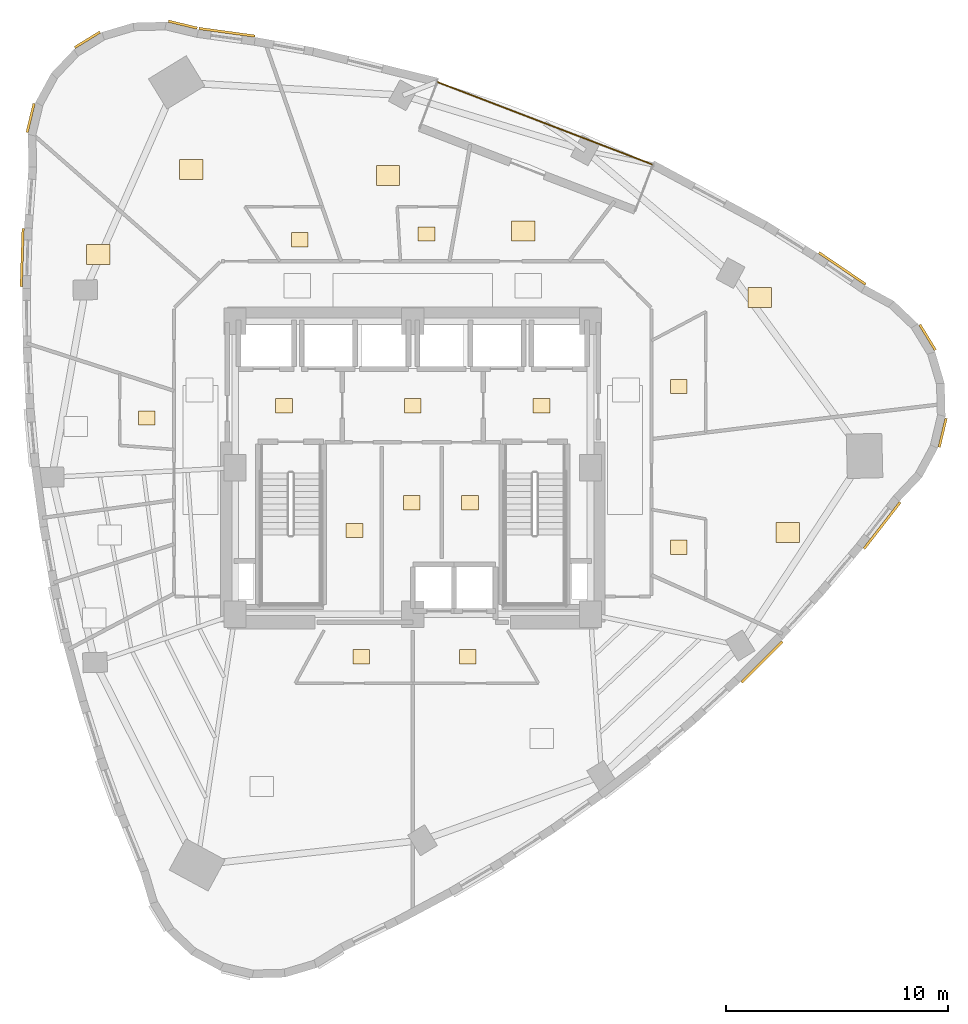
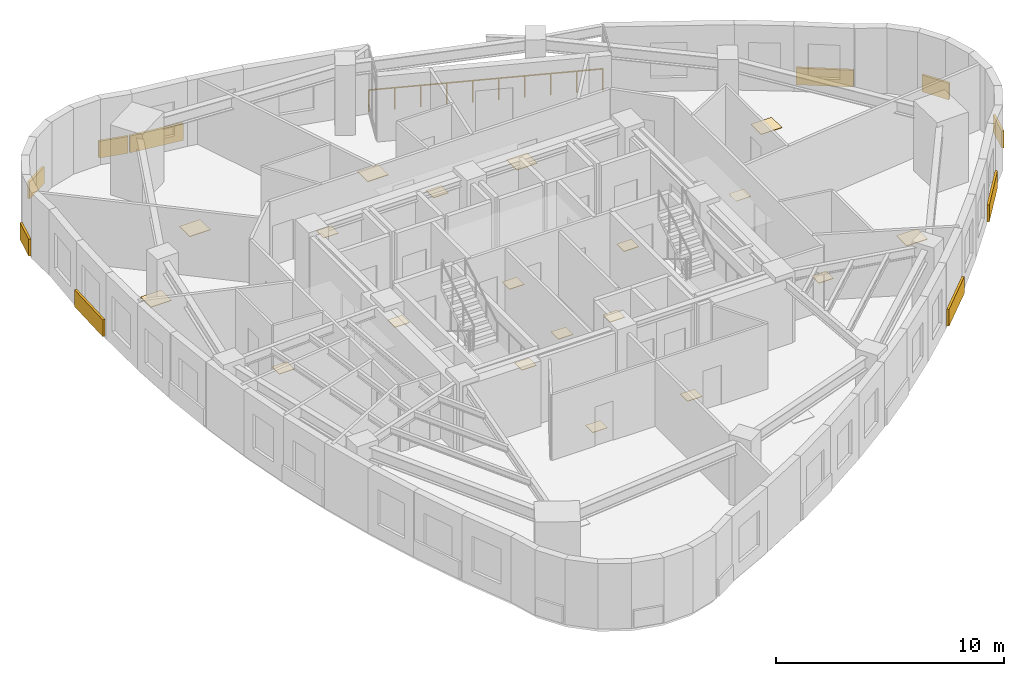
# One storey, part 12 of 12: 29 coverings, 1 railing.
"""IFC4 building model written with IfcOpenShell, lengths in metres."""

from ifc_helpers import new_model, si_unit, direction, frame, origin, origin_2d, place, context, subcontext, project, spatial, rectangle, circle, extrude, material, layer, layer_set, type_object, element, save


model = new_model("IFC4")

# Units and contexts
model_context = context("Model", 3, precision=1e-05, world=origin(), true_north=direction((0.0, 1.0)))
body_context = subcontext(model_context, "Body", "Model", "MODEL_VIEW")
ifc_project = project(units=[si_unit("LENGTHUNIT", "METRE"), si_unit("AREAUNIT", "SQUARE_METRE"), si_unit("VOLUMEUNIT", "CUBIC_METRE"), si_unit("PLANEANGLEUNIT", "RADIAN"), si_unit("MASSUNIT", "GRAM", prefix="KILO")], contexts=[model_context])

# Site, building, storey
site_placement = place(None, origin())
site = spatial("IfcSite", under=ifc_project, at=site_placement, CompositionType="ELEMENT")
building_placement = place(site_placement, origin())
building = spatial("IfcBuilding", under=site, at=building_placement, Name="Ndelora Gate Hotel", CompositionType="ELEMENT")
storey_placement = place(building_placement, frame((0.0, 0.0, 161.0)))
storey = spatial("IfcBuildingStorey", under=building, at=storey_placement, Name="L40", CompositionType="ELEMENT", Elevation=161.0)

# Coverings
ifc_material_1 = material(Name="Terracotta Fired Clay Brick Slip Cladding", Category="masonry")
ifc_layer_1 = layer(ifc_material_1, 0.110107421875)
ifc_layer_set_1 = layer_set([ifc_layer_1], Name="Terracotta Fired Clay Brick Slip Cladding")
covering_type_1 = type_object("IfcCoveringType", Name="COV-CLAD-BRK", PredefinedType="CLADDING", material=ifc_layer_set_1)
for number, where, z_axis, x_axis, name in (
    (1, (-10.35302734375, 19.953369140625, 0.10009765625), (0.0, 0.0, 1.0), (-0.972369920398, 0.233445363856, 0.0), "L40 Rounded-Corner Brick Cladding Band 1"),
    (2, (-14.651611328125, 19.272705078125, 0.10009765625), (0.0, 0.0, 1.0), (0.852640164354, 0.522498564716, 0.0), "L40 Rounded-Corner Brick Cladding Band 4"),
    (3, (-17.209716796875, 15.751708984375, 0.10009765625), (0.0, 0.0, 1.0), (0.233445363856, 0.972369920398, 0.0), "L40 Rounded-Corner Brick Cladding Band 7"),
):
    element("IfcCovering", number, at=place(storey_placement, frame(where, z_axis=z_axis, x_axis=x_axis)), inside=storey, type_object=covering_type_1, Name=name, PredefinedType="CLADDING", context=body_context, shape_type="SweptSolid", body=[
        extrude(rectangle(XDim=1.3359375, YDim=0.110107421875, at=origin_2d()), origin(), (0.0, 0.0, 1.0), 0.89990234375),
    ])
covering_1_placement = place(storey_placement, frame((-17.58935546875, 9.464111328125, 0.10009765625), z_axis=(0.0, 0.0, 1.0), x_axis=(0.03193409516, 0.999489976721, 0.0)))
element("IfcCovering", 4, at=covering_1_placement, inside=storey, type_object=covering_type_1, Name="L40 Rounded-Corner Brick Cladding Band 10", PredefinedType="CLADDING", context=body_context, shape_type="SweptSolid", body=[
    extrude(rectangle(XDim=2.626953125, YDim=0.110107421875, at=origin_2d()), origin(), (0.0, 0.0, 1.0), 0.89990234375),
])
covering_2_placement = place(storey_placement, frame((15.728759765625, -8.741943359375, 0.10009765625), z_axis=(0.0, 0.0, 1.0), x_axis=(0.706242359774, 0.707970147154, 0.0)))
element("IfcCovering", 5, at=covering_2_placement, inside=storey, type_object=covering_type_1, Name="L40 Rounded-Corner Brick Cladding Band 37", PredefinedType="CLADDING", context=body_context, shape_type="SweptSolid", body=[
    extrude(rectangle(XDim=2.593994140625, YDim=0.110107421875, at=origin_2d()), origin(), (0.0, 0.0, 1.0), 0.89990234375),
])
covering_3_placement = place(storey_placement, frame((21.133544921875, -2.600341796875, 0.10009765625), z_axis=(0.0, 0.0, 1.0), x_axis=(0.613458536509, 0.789726930011, 0.0)))
element("IfcCovering", 6, at=covering_3_placement, inside=storey, type_object=covering_type_1, Name="L40 Rounded-Corner Brick Cladding Band 40", PredefinedType="CLADDING", context=body_context, shape_type="SweptSolid", body=[
    extrude(rectangle(XDim=2.65087890625, YDim=0.110107421875, at=origin_2d()), origin(), (0.0, 0.0, 1.0), 0.89990234375),
])
for number, where, z_axis, x_axis, name in (
    (7, (23.861083984375, 1.575927734375, 0.10009765625), (0.0, 0.0, 1.0), (0.233445363856, 0.972369920398, 0.0), "L40 Rounded-Corner Brick Cladding Band 43"),
    (8, (23.180419921875, 5.87451171875, 0.10009765625), (0.0, 0.0, 1.0), (-0.522498564716, 0.852640164354, 0.0), "L40 Rounded-Corner Brick Cladding Band 46"),
):
    element("IfcCovering", number, at=place(storey_placement, frame(where, z_axis=z_axis, x_axis=x_axis)), inside=storey, type_object=covering_type_1, Name=name, PredefinedType="CLADDING", context=body_context, shape_type="SweptSolid", body=[
        extrude(rectangle(XDim=1.3359375, YDim=0.110107421875, at=origin_2d()), origin(), (0.0, 0.0, 1.0), 0.89990234375),
    ])
for number, where, z_axis, x_axis, name in (
    (9, (19.341796875, 8.973876953125, 0.10009765625), (0.0, 0.0, 1.0), (-0.826982459622, 0.562227722082, 0.0), "L40 Rounded-Corner Brick Cladding Band 49"),
    (10, (-8.369140625, 19.611083984375, 0.10009765625), (0.0, 0.0, 1.0), (-0.990771512217, 0.135542652249, 0.0), "L40 Rounded-Corner Brick Cladding Band 58"),
):
    element("IfcCovering", number, at=place(storey_placement, frame(where, z_axis=z_axis, x_axis=x_axis)), inside=storey, type_object=covering_type_1, Name=name, PredefinedType="CLADDING", context=body_context, shape_type="SweptSolid", body=[
        extrude(rectangle(XDim=2.5419921875, YDim=0.110107421875, at=origin_2d()), origin(), (0.0, 0.0, 1.0), 0.89990234375),
    ])
ifc_material_2 = material(Name="Engineered Highland Oak Parquet", Category="wood")
ifc_layer_2 = layer(ifc_material_2, 0.030029296875)
ifc_layer_set_2 = layer_set([ifc_layer_2], Name="Engineered Highland Oak Parquet")
covering_type_2 = type_object("IfcCoveringType", Name="COV-FLR-PARQ", PredefinedType="FLOORING", material=ifc_layer_set_2)
for number, where, z_axis, x_axis, name in (
    (11, (16.892822265625, -2.912841796875, 0.0), (0.0, 0.0, 1.0), (1.0, 0.0, 0.0), "L40 Corner Panorama Suite 4303 Oak Parquet Flooring"),
    (12, (15.628662109375, 7.661865234375, 0.0), (0.0, 0.0, 1.0), (1.0, 0.0, 0.0), "L40 Two-Bay Highland Suite 4304 Oak Parquet Flooring"),
    (13, (4.977783203125, 10.661376953125, 0.0), (0.0, 0.0, 1.0), (1.0, 0.0, 0.0), "L40 Sky Garden Tea Dining Room Oak Parquet Flooring"),
    (14, (-1.115478515625, 13.159423828125, 0.0), (0.0, 0.0, 1.0), (1.0, 0.0, 0.0), "L40 Corner Club Suite 4305 Oak Parquet Flooring"),
    (15, (-9.9697265625, 13.42431640625, 0.0), (0.0, 0.0, 1.0), (1.0, 0.0, 0.0), "L40 Club Superior Junior Suite 4306 Oak Parquet Flooring"),
    (16, (-14.156494140625, 9.60302734375, 0.0), (0.0, 0.0, 1.0), (1.0, 0.0, 0.0), "L40 Quiet Reading Library Oak Parquet Flooring"),
):
    element("IfcCovering", number, at=place(storey_placement, frame(where, z_axis=z_axis, x_axis=x_axis)), inside=storey, type_object=covering_type_2, Name=name, PredefinedType="FLOORING", context=body_context, shape_type="SweptSolid", body=[
        extrude(rectangle(XDim=1.050048828125, YDim=0.89990234375, at=origin_2d()), origin(), (0.0, 0.0, 1.0), 0.030029296875),
    ])
ifc_material_3 = material(Name="Non-Slip Porcelain Wet-Room Tile", Category="ceramic")
ifc_layer_3 = layer(ifc_material_3, 0.02490234375)
ifc_layer_set_3 = layer_set([ifc_layer_3], Name="Non-Slip Porcelain Wet-Room Tile")
covering_type_3 = type_object("IfcCoveringType", Name="COV-FLR-TILE", PredefinedType="FLOORING", material=ifc_layer_set_3)
for number, where, z_axis, x_axis, name in (
    (17, (-5.800048828125, 2.800048828125, 0.0), (0.0, 0.0, 1.0), (1.0, 0.0, 0.0), "L40 Firefighting Lift Lobby West Porcelain Tile Flooring"),
    (18, (5.800048828125, 2.800048828125, 0.0), (0.0, 0.0, 1.0), (1.0, 0.0, 0.0), "L40 Firefighting Lift Lobby East Porcelain Tile Flooring"),
    (19, (0.0, 2.800048828125, 0.0), (0.0, 0.0, 1.0), (1.0, 0.0, 0.0), "L40 Central Passenger Lift Lobby Porcelain Tile Flooring"),
    (20, (-2.625, -2.824951171875, 0.0), (0.0, 0.0, 1.0), (1.0, 0.0, 0.0), "L40 Core Cleaners Store Porcelain Tile Flooring"),
    (21, (-0.050048828125, -1.574951171875, 0.0), (0.0, 0.0, 1.0), (1.0, 0.0, 0.0), "L40 Core Telecoms Equipment Room Porcelain Tile Flooring"),
    (22, (2.574951171875, -1.574951171875, 0.0), (0.0, 0.0, 1.0), (1.0, 0.0, 0.0), "L40 Core Electrical Metering Room Porcelain Tile Flooring"),
    (23, (-2.318359375, -8.510009765625, 0.0), (0.0, 0.0, 1.0), (1.0, 0.0, 0.0), "L40 En-suite Bathroom 4301 Porcelain Tile Flooring"),
    (24, (2.47998046875, -8.510009765625, 0.0), (0.0, 0.0, 1.0), (1.0, 0.0, 0.0), "L40 En-suite Bathroom 4302 Porcelain Tile Flooring"),
    (25, (11.97509765625, -3.572998046875, 0.0), (0.0, 0.0, 1.0), (1.0, 0.0, 0.0), "L40 En-suite Bathroom 4303 Porcelain Tile Flooring"),
    (26, (11.97509765625, 3.659912109375, 0.0), (0.0, 0.0, 1.0), (1.0, 0.0, 0.0), "L40 En-suite Bathroom 4304 Porcelain Tile Flooring"),
    (27, (0.61962890625, 10.52490234375, 0.0), (0.0, 0.0, 1.0), (1.0, 0.0, 0.0), "L40 En-suite Bathroom 4305 Porcelain Tile Flooring"),
    (28, (-5.085693359375, 10.27197265625, 0.0), (0.0, 0.0, 1.0), (1.0, 0.0, 0.0), "L40 En-suite Bathroom 4306 Porcelain Tile Flooring"),
    (29, (-11.97509765625, 2.2412109375, 0.0), (0.0, 0.0, 1.0), (1.0, 0.0, 0.0), "L40 En-suite Bathroom 4307 Porcelain Tile Flooring"),
):
    element("IfcCovering", number, at=place(storey_placement, frame(where, z_axis=z_axis, x_axis=x_axis)), inside=storey, type_object=covering_type_3, Name=name, PredefinedType="FLOORING", context=body_context, shape_type="SweptSolid", body=[
        extrude(rectangle(XDim=0.75, YDim=0.64990234375, at=origin_2d()), origin(), (0.0, 0.0, 1.0), 0.02490234375),
    ])

# Railing
ifc_material_4 = material(Name="Laminated Safety Glass and Bronze Top Rail", Category="glass")
ifc_layer_4 = layer(ifc_material_4, 0.070068359375)
ifc_layer_set_4 = layer_set([ifc_layer_4], Name="Laminated Safety Glass and Bronze Top Rail")
railing_type = type_object("IfcRailingType", Name="RL-BAL-1150", PredefinedType="BALUSTRADE", material=ifc_layer_set_4)
railing_placement = place(storey_placement, frame((10.80908203125, 13.6484375, 0.0)))
element("IfcRailing", 30, at=railing_placement, inside=storey, type_object=railing_type, Name="L40 Sky-Garden Loggia Terrace Balustrade", PredefinedType="BALUSTRADE", context=body_context, shape_type="SweptSolid", body=[
    extrude(circle(Radius=0.02392578125, at=origin_2d()), frame((0.0, 0.0, 1.1357421875), z_axis=(-0.93357955321, 0.358370224529, 0.0), x_axis=(-0.358370224529, -0.93357955321, 0.0)), (0.0, 0.0, 1.0), 10.39990234375),
    extrude(circle(Radius=0.02099609375, at=origin_2d()), origin(), (0.0, 0.0, 1.0), 1.11181640625),
    extrude(circle(Radius=0.02099609375, at=origin_2d()), frame((-1.078857421875, 0.4140625, 0.0)), (0.0, 0.0, 1.0), 1.11181640625),
    extrude(circle(Radius=0.02099609375, at=origin_2d()), frame((-2.15771484375, 0.828125, 0.0)), (0.0, 0.0, 1.0), 1.11181640625),
    extrude(circle(Radius=0.02099609375, at=origin_2d()), frame((-3.236328125, 1.242431640625, 0.0)), (0.0, 0.0, 1.0), 1.11181640625),
    extrude(circle(Radius=0.02099609375, at=origin_2d()), frame((-4.315185546875, 1.656494140625, 0.0)), (0.0, 0.0, 1.0), 1.11181640625),
    extrude(circle(Radius=0.02099609375, at=origin_2d()), frame((-5.39404296875, 2.070556640625, 0.0)), (0.0, 0.0, 1.0), 1.11181640625),
    extrude(circle(Radius=0.02099609375, at=origin_2d()), frame((-6.472900390625, 2.484619140625, 0.0)), (0.0, 0.0, 1.0), 1.11181640625),
    extrude(circle(Radius=0.02099609375, at=origin_2d()), frame((-7.551513671875, 2.89892578125, 0.0)), (0.0, 0.0, 1.0), 1.11181640625),
    extrude(circle(Radius=0.02099609375, at=origin_2d()), frame((-8.63037109375, 3.31298828125, 0.0)), (0.0, 0.0, 1.0), 1.11181640625),
    extrude(circle(Radius=0.02099609375, at=origin_2d()), frame((-9.709228515625, 3.72705078125, 0.0)), (0.0, 0.0, 1.0), 1.11181640625),
])

save(model, "model.ifc")
